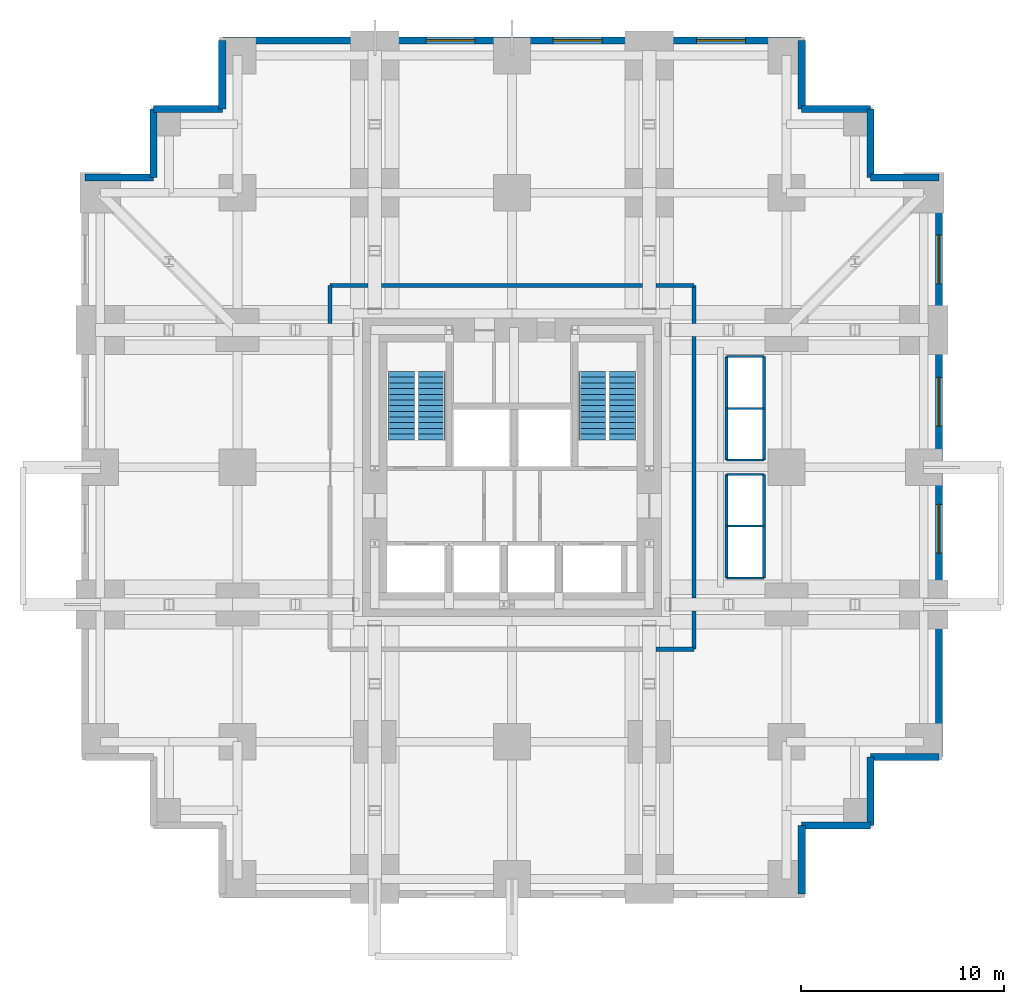
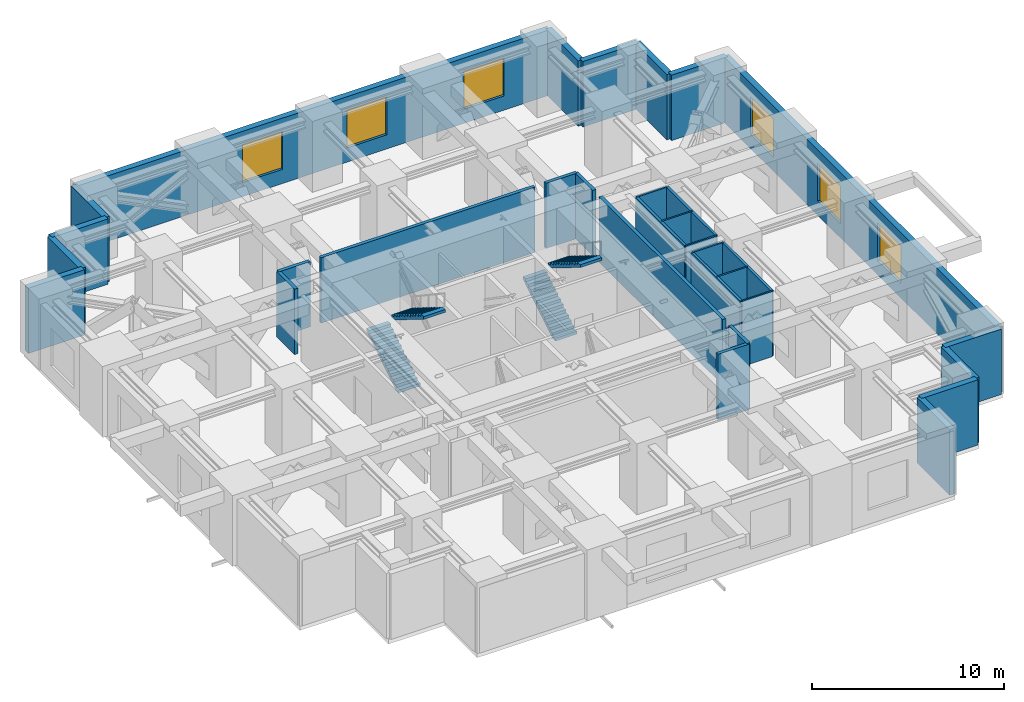
# One storey, part 5 of 6: 32 walls, 6 windows, 4 stair flights, 6 openings, 2 elements without a shape of their own.
"""IFC4 building model written with IfcOpenShell, lengths in metres."""

from ifc_helpers import new_model, si_unit, direction, frame, frame_2d, origin, place, context, subcontext, project, spatial, polyline, rectangle, outline, extrude, material, layer, layer_set, type_object, element, fill, aggregate, save


model = new_model("IFC4")

# Units and contexts
model_context = context("Model", 3, precision=1e-05, world=origin(), true_north=direction((0.0, 1.0)))
body_context = subcontext(model_context, "Body", "Model", "MODEL_VIEW")
ifc_project = project(units=[si_unit("LENGTHUNIT", "METRE"), si_unit("AREAUNIT", "SQUARE_METRE"), si_unit("VOLUMEUNIT", "CUBIC_METRE"), si_unit("PLANEANGLEUNIT", "RADIAN"), si_unit("MASSUNIT", "GRAM", prefix="KILO")], contexts=[model_context])

# Site, building, storey
site_placement = place(None, origin())
site = spatial("IfcSite", under=ifc_project, at=site_placement, CompositionType="ELEMENT")
building_placement = place(site_placement, origin())
building = spatial("IfcBuilding", under=site, at=building_placement, Name="Nyansa Garden Tower", CompositionType="ELEMENT")
storey_placement = place(building_placement, frame((0.0, 0.0, 75.60009765625)))
storey = spatial("IfcBuildingStorey", under=building, at=storey_placement, Name="L20", CompositionType="ELEMENT", Elevation=75.60009765625)

# Walls
ifc_material_1 = material(Name="Concrete blockwork, plastered, 60 minute fire resisting", Category="masonry")
ifc_layer_1 = layer(ifc_material_1, 0.199951171875)
ifc_layer_set_1 = layer_set([ifc_layer_1], Name="Corridor wall FW200")
wall_type_1 = type_object("IfcWallType", Name="Corridor wall FW200", PredefinedType="PARTITIONING", material=ifc_layer_set_1)
for number, where, z_axis, x_axis, name in (
    (1, (11.300048828125, 27.324951171875, 0.0), (0.0, 0.0, 1.0), (0.0, 1.0, 0.0), "Corridor wall"),
    (2, (11.300048828125, 29.199951171875, 0.0), (0.0, 0.0, 1.0), (1.0, 0.0, 0.0), "Corridor wall"),
):
    element("IfcWall", number, at=place(storey_placement, frame(where, z_axis=z_axis, x_axis=x_axis)), inside=storey, type_object=wall_type_1, Name=name, PredefinedType="PARTITIONING", context=body_context, shape_type="SweptSolid", body=[
        extrude(rectangle(XDim=1.875, YDim=0.199951171875, at=frame_2d((0.9375, 0.0))), origin(), (0.0, 0.0, 1.0), 4.14990234375),
    ])
wall_1_placement = place(storey_placement, frame((13.824951171875, 29.199951171875, 0.0), z_axis=(0.0, 0.0, 1.0), x_axis=(1.0, 0.0, 0.0)))
element("IfcWall", 3, at=wall_1_placement, inside=storey, type_object=wall_type_1, Name="Corridor wall", PredefinedType="PARTITIONING", context=body_context, shape_type="SweptSolid", body=[
    extrude(rectangle(XDim=12.85009765625, YDim=0.199951171875, at=frame_2d((6.425048828125, 0.0))), origin(), (0.0, 0.0, 1.0), 4.14990234375),
])
for number, where, z_axis, x_axis, name in (
    (4, (27.324951171875, 11.300048828125, 0.0), (0.0, 0.0, 1.0), (1.0, 0.0, 0.0), "Corridor wall"),
    (5, (27.324951171875, 29.199951171875, 0.0), (0.0, 0.0, 1.0), (1.0, 0.0, 0.0), "Corridor wall"),
    (6, (29.199951171875, 11.300048828125, 0.0), (0.0, 0.0, 1.0), (0.0, 1.0, 0.0), "Corridor wall"),
):
    element("IfcWall", number, at=place(storey_placement, frame(where, z_axis=z_axis, x_axis=x_axis)), inside=storey, type_object=wall_type_1, Name=name, PredefinedType="PARTITIONING", context=body_context, shape_type="SweptSolid", body=[
        extrude(rectangle(XDim=1.875, YDim=0.199951171875, at=frame_2d((0.9375, 0.0))), origin(), (0.0, 0.0, 1.0), 4.14990234375),
    ])
wall_2_placement = place(storey_placement, frame((29.199951171875, 13.824951171875, 0.0), z_axis=(0.0, 0.0, 1.0), x_axis=(0.0, 1.0, 0.0)))
element("IfcWall", 7, at=wall_2_placement, inside=storey, type_object=wall_type_1, Name="Corridor wall", PredefinedType="PARTITIONING", context=body_context, shape_type="SweptSolid", body=[
    extrude(rectangle(XDim=12.85009765625, YDim=0.199951171875, at=frame_2d((6.425048828125, 0.0))), origin(), (0.0, 0.0, 1.0), 4.14990234375),
])
wall_3_placement = place(storey_placement, frame((29.199951171875, 27.324951171875, 0.0), z_axis=(0.0, 0.0, 1.0), x_axis=(0.0, 1.0, 0.0)))
element("IfcWall", 8, at=wall_3_placement, inside=storey, type_object=wall_type_1, Name="Corridor wall", PredefinedType="PARTITIONING", context=body_context, shape_type="SweptSolid", body=[
    extrude(rectangle(XDim=1.875, YDim=0.199951171875, at=frame_2d((0.9375, 0.0))), origin(), (0.0, 0.0, 1.0), 4.14990234375),
])
ifc_material_2 = material(Name="Steel-stud shaft wall, two layers fire-rated board, EI 120", Category="steel")
ifc_layer_2 = layer(ifc_material_2, 0.10009765625)
ifc_layer_set_2 = layer_set([ifc_layer_2], Name="Lift shaft wall SW100")
wall_type_2 = type_object("IfcWallType", Name="Lift shaft wall SW100", PredefinedType="SHEAR", material=ifc_layer_set_2)
for number, where, z_axis, x_axis, name in (
    (9, (30.800048828125, 14.800048828125, 0.0), (0.0, 0.0, 1.0), (1.0, 0.0, 0.0), "Lift shaft wall"),
    (10, (30.800048828125, 17.35009765625, 0.0), (0.0, 0.0, 1.0), (1.0, 0.0, 0.0), "Lift shaft wall"),
    (11, (30.800048828125, 19.89990234375, 0.0), (0.0, 0.0, 1.0), (1.0, 0.0, 0.0), "Lift shaft wall"),
    (12, (30.800048828125, 20.60009765625, 0.0), (0.0, 0.0, 1.0), (1.0, 0.0, 0.0), "Lift shaft wall"),
    (13, (30.800048828125, 23.14990234375, 0.0), (0.0, 0.0, 1.0), (1.0, 0.0, 0.0), "Lift shaft wall"),
    (14, (30.800048828125, 25.699951171875, 0.0), (0.0, 0.0, 1.0), (1.0, 0.0, 0.0), "Lift shaft wall"),
):
    element("IfcWall", number, at=place(storey_placement, frame(where, z_axis=z_axis, x_axis=x_axis)), inside=storey, type_object=wall_type_2, Name=name, PredefinedType="SHEAR", context=body_context, shape_type="SweptSolid", body=[
        extrude(rectangle(XDim=1.849853515625, YDim=0.10009765625, at=frame_2d((0.9248046875, 0.0))), origin(), (0.0, 0.0, 1.0), 4.14990234375),
    ])
ifc_material_3 = material(Name="Blockwork, plastered both sides", Category="masonry")
ifc_layer_3 = layer(ifc_material_3, 0.14990234375)
ifc_layer_set_3 = layer_set([ifc_layer_3], Name="Partition PW150")
wall_type_3 = type_object("IfcWallType", Name="Partition PW150", PredefinedType="PARTITIONING", material=ifc_layer_set_3)
for number, where, z_axis, x_axis, name in (
    (15, (30.800048828125, 14.800048828125, 0.0), (0.0, 0.0, 1.0), (0.0, 1.0, 0.0), "Partition"),
    (16, (30.800048828125, 20.60009765625, 0.0), (0.0, 0.0, 1.0), (0.0, 1.0, 0.0), "Partition"),
    (17, (32.64990234375, 14.800048828125, 0.0), (0.0, 0.0, 1.0), (0.0, 1.0, 0.0), "Partition"),
    (18, (32.64990234375, 20.60009765625, 0.0), (0.0, 0.0, 1.0), (0.0, 1.0, 0.0), "Partition"),
):
    element("IfcWall", number, at=place(storey_placement, frame(where, z_axis=z_axis, x_axis=x_axis)), inside=storey, type_object=wall_type_3, Name=name, PredefinedType="PARTITIONING", context=body_context, shape_type="SweptSolid", body=[
        extrude(rectangle(XDim=5.099853515625, YDim=0.14990234375, at=frame_2d((2.5498046875, 0.0))), origin(), (0.0, 0.0, 1.0), 4.14990234375),
    ])

# Wall, openings, windows
ifc_material_4 = material(Name="Turquoise and ultramarine glazed tile on concrete blockwork", Category="masonry")
ifc_layer_4 = layer(ifc_material_4, 0.35009765625)
ifc_layer_set_4 = layer_set([ifc_layer_4], Name="Tiled plant wall PW350")
wall_type_4 = type_object("IfcWallType", Name="Tiled plant wall PW350", PredefinedType="SOLIDWALL", material=ifc_layer_set_4)
wall_4_placement = place(storey_placement, frame((41.25, 6.0, 0.0), z_axis=(0.0, 0.0, 1.0), x_axis=(0.0, 1.0, 0.0)))
wall_4 = element("IfcWall", 19, at=wall_4_placement, inside=storey, type_object=wall_type_4, Name="Tiled plant wall L20", PredefinedType="SOLIDWALL", context=body_context, shape_type="SweptSolid", body=[
    extrude(rectangle(XDim=28.5, YDim=0.35009765625, at=frame_2d((14.25, 0.0))), origin(), (0.0, 0.0, 1.0), 4.14990234375),
])
opening_1_placement = place(wall_4_placement, frame((10.02490234375, 0.0, 0.89990234375)))
opening_1 = element("IfcOpeningElement", 20, at=opening_1_placement, cuts=wall_4, Name="Opening W3", PredefinedType="OPENING", context=body_context, shape_type="SweptSolid", body=[
    extrude(rectangle(XDim=2.39990234375, YDim=2.39990234375, at=frame_2d((1.199951171875, 1.199951171875))), frame((0.0, 0.18505859375, 0.0), z_axis=(0.0, -1.0, 0.0), x_axis=(1.0, 0.0, 0.0)), (0.0, 0.0, 1.0), 0.3701171875),
])
opening_2_placement = place(wall_4_placement, frame((16.27490234375, 0.0, 0.89990234375)))
opening_2 = element("IfcOpeningElement", 21, at=opening_2_placement, cuts=wall_4, Name="Opening W3", PredefinedType="OPENING", context=body_context, shape_type="SweptSolid", body=[
    extrude(rectangle(XDim=2.39990234375, YDim=2.39990234375, at=frame_2d((1.199951171875, 1.199951171875))), frame((0.0, 0.18505859375, 0.0), z_axis=(0.0, -1.0, 0.0), x_axis=(1.0, 0.0, 0.0)), (0.0, 0.0, 1.0), 0.3701171875),
])
opening_3_placement = place(wall_4_placement, frame((23.27490234375, 0.0, 0.89990234375)))
opening_3 = element("IfcOpeningElement", 22, at=opening_3_placement, cuts=wall_4, Name="Opening W3", PredefinedType="OPENING", context=body_context, shape_type="SweptSolid", body=[
    extrude(rectangle(XDim=2.39990234375, YDim=2.39990234375, at=frame_2d((1.199951171875, 1.199951171875))), frame((0.0, 0.18505859375, 0.0), z_axis=(0.0, -1.0, 0.0), x_axis=(1.0, 0.0, 0.0)), (0.0, 0.0, 1.0), 0.3701171875),
])
ifc_material_5 = material(Name="Black aluminium weather louvre", Category="aluminium")
window_type = type_object("IfcWindowType", Name="Louvre W3 2400x2400", PartitioningType="SINGLE_PANEL", PredefinedType="WINDOW", material=ifc_material_5)
window_1_placement = place(opening_1_placement, origin())
window_1 = element("IfcWindow", 23, at=window_1_placement, inside=storey, type_object=window_type, Name="Louvre L20", OverallHeight=2.39990234375, OverallWidth=2.39990234375, PartitioningType="SINGLE_PANEL", PredefinedType="WINDOW", context=body_context, shape_type="SweptSolid", body=[
    extrude(rectangle(XDim=2.39990234375, YDim=2.39990234375, at=frame_2d((1.199951171875, 1.199951171875))), frame((0.0, 0.030029296875, 0.0), z_axis=(0.0, -1.0, 0.0), x_axis=(1.0, 0.0, 0.0)), (0.0, 0.0, 1.0), 0.06005859375),
])
fill(opening_1, window_1)
window_2_placement = place(opening_2_placement, origin())
window_2 = element("IfcWindow", 24, at=window_2_placement, inside=storey, type_object=window_type, Name="Louvre L20", OverallHeight=2.39990234375, OverallWidth=2.39990234375, PartitioningType="SINGLE_PANEL", PredefinedType="WINDOW", context=body_context, shape_type="SweptSolid", body=[
    extrude(rectangle(XDim=2.39990234375, YDim=2.39990234375, at=frame_2d((1.199951171875, 1.199951171875))), frame((0.0, 0.030029296875, 0.0), z_axis=(0.0, -1.0, 0.0), x_axis=(1.0, 0.0, 0.0)), (0.0, 0.0, 1.0), 0.06005859375),
])
fill(opening_2, window_2)
window_3_placement = place(opening_3_placement, origin())
window_3 = element("IfcWindow", 25, at=window_3_placement, inside=storey, type_object=window_type, Name="Louvre L20", OverallHeight=2.39990234375, OverallWidth=2.39990234375, PartitioningType="SINGLE_PANEL", PredefinedType="WINDOW", context=body_context, shape_type="SweptSolid", body=[
    extrude(rectangle(XDim=2.39990234375, YDim=2.39990234375, at=frame_2d((1.199951171875, 1.199951171875))), frame((0.0, 0.030029296875, 0.0), z_axis=(0.0, -1.0, 0.0), x_axis=(1.0, 0.0, 0.0)), (0.0, 0.0, 1.0), 0.06005859375),
])
fill(opening_3, window_3)

# Walls
for number, where, z_axis, x_axis, name in (
    (26, (41.25, 34.5, 0.0), (0.0, 0.0, 1.0), (-1.0, 0.0, 0.0), "Tiled plant wall L20"),
    (27, (37.875, 34.5, 0.0), (0.0, 0.0, 1.0), (0.0, 1.0, 0.0), "Tiled plant wall L20"),
    (28, (37.875, 37.875, 0.0), (0.0, 0.0, 1.0), (-1.0, 0.0, 0.0), "Tiled plant wall L20"),
    (29, (34.5, 37.875, 0.0), (0.0, 0.0, 1.0), (0.0, 1.0, 0.0), "Tiled plant wall L20"),
):
    element("IfcWall", number, at=place(storey_placement, frame(where, z_axis=z_axis, x_axis=x_axis)), inside=storey, type_object=wall_type_4, Name=name, PredefinedType="SOLIDWALL", context=body_context, shape_type="SweptSolid", body=[
        extrude(rectangle(XDim=3.375, YDim=0.35009765625, at=frame_2d((1.6875, 0.0))), origin(), (0.0, 0.0, 1.0), 4.14990234375),
    ])

# Wall, openings, windows
wall_5_placement = place(storey_placement, frame((34.5, 41.25, 0.0), z_axis=(0.0, 0.0, 1.0), x_axis=(-1.0, 0.0, 0.0)))
wall_5 = element("IfcWall", 30, at=wall_5_placement, inside=storey, type_object=wall_type_4, Name="Tiled plant wall L20", PredefinedType="SOLIDWALL", context=body_context, shape_type="SweptSolid", body=[
    extrude(rectangle(XDim=28.5, YDim=0.35009765625, at=frame_2d((14.25, 0.0))), origin(), (0.0, 0.0, 1.0), 4.14990234375),
])
opening_4_placement = place(wall_5_placement, frame((2.77490234375, 0.0, 0.89990234375)))
opening_4 = element("IfcOpeningElement", 31, at=opening_4_placement, cuts=wall_5, Name="Opening W3", PredefinedType="OPENING", context=body_context, shape_type="SweptSolid", body=[
    extrude(rectangle(XDim=2.39990234375, YDim=2.39990234375, at=frame_2d((1.199951171875, 1.199951171875))), frame((0.0, 0.18505859375, 0.0), z_axis=(0.0, -1.0, 0.0), x_axis=(1.0, 0.0, 0.0)), (0.0, 0.0, 1.0), 0.3701171875),
])
opening_5_placement = place(wall_5_placement, frame((9.824951171875, 0.0, 0.89990234375)))
opening_5 = element("IfcOpeningElement", 32, at=opening_5_placement, cuts=wall_5, Name="Opening W3", PredefinedType="OPENING", context=body_context, shape_type="SweptSolid", body=[
    extrude(rectangle(XDim=2.39990234375, YDim=2.39990234375, at=frame_2d((1.199951171875, 1.199951171875))), frame((0.0, 0.18505859375, 0.0), z_axis=(0.0, -1.0, 0.0), x_axis=(1.0, 0.0, 0.0)), (0.0, 0.0, 1.0), 0.3701171875),
])
opening_6_placement = place(wall_5_placement, frame((16.074951171875, 0.0, 0.89990234375)))
opening_6 = element("IfcOpeningElement", 33, at=opening_6_placement, cuts=wall_5, Name="Opening W3", PredefinedType="OPENING", context=body_context, shape_type="SweptSolid", body=[
    extrude(rectangle(XDim=2.39990234375, YDim=2.39990234375, at=frame_2d((1.199951171875, 1.199951171875))), frame((0.0, 0.18505859375, 0.0), z_axis=(0.0, -1.0, 0.0), x_axis=(1.0, 0.0, 0.0)), (0.0, 0.0, 1.0), 0.3701171875),
])
window_4_placement = place(opening_4_placement, origin())
window_4 = element("IfcWindow", 34, at=window_4_placement, inside=storey, type_object=window_type, Name="Louvre L20", OverallHeight=2.39990234375, OverallWidth=2.39990234375, PartitioningType="SINGLE_PANEL", PredefinedType="WINDOW", context=body_context, shape_type="SweptSolid", body=[
    extrude(rectangle(XDim=2.39990234375, YDim=2.39990234375, at=frame_2d((1.199951171875, 1.199951171875))), frame((0.0, 0.030029296875, 0.0), z_axis=(0.0, -1.0, 0.0), x_axis=(1.0, 0.0, 0.0)), (0.0, 0.0, 1.0), 0.06005859375),
])
fill(opening_4, window_4)
window_5_placement = place(opening_5_placement, origin())
window_5 = element("IfcWindow", 35, at=window_5_placement, inside=storey, type_object=window_type, Name="Louvre L20", OverallHeight=2.39990234375, OverallWidth=2.39990234375, PartitioningType="SINGLE_PANEL", PredefinedType="WINDOW", context=body_context, shape_type="SweptSolid", body=[
    extrude(rectangle(XDim=2.39990234375, YDim=2.39990234375, at=frame_2d((1.199951171875, 1.199951171875))), frame((0.0, 0.030029296875, 0.0), z_axis=(0.0, -1.0, 0.0), x_axis=(1.0, 0.0, 0.0)), (0.0, 0.0, 1.0), 0.06005859375),
])
fill(opening_5, window_5)
window_6_placement = place(opening_6_placement, origin())
window_6 = element("IfcWindow", 36, at=window_6_placement, inside=storey, type_object=window_type, Name="Louvre L20", OverallHeight=2.39990234375, OverallWidth=2.39990234375, PartitioningType="SINGLE_PANEL", PredefinedType="WINDOW", context=body_context, shape_type="SweptSolid", body=[
    extrude(rectangle(XDim=2.39990234375, YDim=2.39990234375, at=frame_2d((1.199951171875, 1.199951171875))), frame((0.0, 0.030029296875, 0.0), z_axis=(0.0, -1.0, 0.0), x_axis=(1.0, 0.0, 0.0)), (0.0, 0.0, 1.0), 0.06005859375),
])
fill(opening_6, window_6)

# Walls
for number, where, z_axis, x_axis, name in (
    (37, (6.0, 41.25, 0.0), (0.0, 0.0, 1.0), (0.0, -1.0, 0.0), "Tiled plant wall L20"),
    (38, (6.0, 37.875, 0.0), (0.0, 0.0, 1.0), (-1.0, 0.0, 0.0), "Tiled plant wall L20"),
    (39, (2.625, 37.875, 0.0), (0.0, 0.0, 1.0), (0.0, -1.0, 0.0), "Tiled plant wall L20"),
    (40, (2.625, 34.5, 0.0), (0.0, 0.0, 1.0), (-1.0, 0.0, 0.0), "Tiled plant wall L20"),
    (41, (34.5, -0.75, 0.0), (0.0, 0.0, 1.0), (0.0, 1.0, 0.0), "Tiled plant wall L20"),
    (42, (34.5, 2.625, 0.0), (0.0, 0.0, 1.0), (1.0, 0.0, 0.0), "Tiled plant wall L20"),
    (43, (37.875, 2.625, 0.0), (0.0, 0.0, 1.0), (0.0, 1.0, 0.0), "Tiled plant wall L20"),
    (44, (37.875, 6.0, 0.0), (0.0, 0.0, 1.0), (1.0, 0.0, 0.0), "Tiled plant wall L20"),
):
    element("IfcWall", number, at=place(storey_placement, frame(where, z_axis=z_axis, x_axis=x_axis)), inside=storey, type_object=wall_type_4, Name=name, PredefinedType="SOLIDWALL", context=body_context, shape_type="SweptSolid", body=[
        extrude(rectangle(XDim=3.375, YDim=0.35009765625, at=frame_2d((1.6875, 0.0))), origin(), (0.0, 0.0, 1.0), 4.14990234375),
    ])

# Stair, stair flights
ifc_material_6 = material(Name="Precast concrete C40/50", Category="concrete")
stair_type_1 = type_object("IfcStairType", Name="Stair S1 173x280", PredefinedType="HALF_TURN_STAIR", material=ifc_material_6)
stair_1_placement = place(storey_placement, origin())
stair_1 = element("IfcStair", 45, at=stair_1_placement, inside=storey, type_object=stair_type_1, Name="Stair S1 L20", PredefinedType="HALF_TURN_STAIR")
ifc_material_7 = material(Name="Precast concrete C40/50", Category="concrete")
stair_flight_type_1 = type_object("IfcStairFlightType", Name="Stair flight S1 173x280x13", PredefinedType="STRAIGHT", material=ifc_material_7)
stair_flight_1_placement = place(storey_placement, frame((14.800048828125, 21.60009765625, 0.0), z_axis=(0.0, 0.0, 1.0), x_axis=(0.0, 1.0, 0.0)))
stair_flight_1 = element("IfcStairFlight", 46, at=stair_flight_1_placement, type_object=stair_flight_type_1, Name="S1 flight 1", NumberOfRisers=13, NumberOfTreads=12, PredefinedType="STRAIGHT", RiserHeight=0.173076923, TreadLength=0.28, context=body_context, shape_type="SweptSolid", body=[
    extrude(outline(polyline([(0.0, 0.0), (0.0, 0.173095703125), (0.280029296875, 0.173095703125), (0.280029296875, 0.34619140625), (0.56005859375, 0.34619140625), (0.56005859375, 0.519287109375), (0.840087890625, 0.519287109375), (0.840087890625, 0.6923828125), (1.1201171875, 0.6923828125), (1.1201171875, 0.865478515625), (1.39990234375, 0.865478515625), (1.39990234375, 1.03857421875), (1.679931640625, 1.03857421875), (1.679931640625, 1.21142578125), (1.9599609375, 1.21142578125), (1.9599609375, 1.384521484375), (2.239990234375, 1.384521484375), (2.239990234375, 1.5576171875), (2.52001953125, 1.5576171875), (2.52001953125, 1.730712890625), (2.800048828125, 1.730712890625), (2.800048828125, 1.90380859375), (3.080078125, 1.90380859375), (3.080078125, 2.076904296875), (3.360107421875, 2.076904296875), (3.360107421875, 2.25), (3.360107421875, 1.900634765625), (0.28515625, 0.0), (0.0, 0.0)])), frame((0.0, 0.64990234375, 0.0), z_axis=(0.0, -1.0, 0.0), x_axis=(1.0, 0.0, 0.0)), (0.0, 0.0, 1.0), 1.300048828125),
])
stair_flight_2_placement = place(storey_placement, frame((16.300048828125, 24.9599609375, 2.25), z_axis=(0.0, 0.0, 1.0), x_axis=(0.0, -1.0, 0.0)))
stair_flight_2 = element("IfcStairFlight", 47, at=stair_flight_2_placement, type_object=stair_flight_type_1, Name="S1 flight 2", NumberOfRisers=13, NumberOfTreads=12, PredefinedType="STRAIGHT", RiserHeight=0.173076923, TreadLength=0.28, context=body_context, shape_type="SweptSolid", body=[
    extrude(outline(polyline([(0.0, 0.0), (0.0, 0.173095703125), (0.280029296875, 0.173095703125), (0.280029296875, 0.34619140625), (0.56005859375, 0.34619140625), (0.56005859375, 0.519287109375), (0.840087890625, 0.519287109375), (0.840087890625, 0.6923828125), (1.1201171875, 0.6923828125), (1.1201171875, 0.865478515625), (1.39990234375, 0.865478515625), (1.39990234375, 1.03857421875), (1.679931640625, 1.03857421875), (1.679931640625, 1.21142578125), (1.9599609375, 1.21142578125), (1.9599609375, 1.384521484375), (2.239990234375, 1.384521484375), (2.239990234375, 1.5576171875), (2.52001953125, 1.5576171875), (2.52001953125, 1.730712890625), (2.800048828125, 1.730712890625), (2.800048828125, 1.90380859375), (3.080078125, 1.90380859375), (3.080078125, 2.076904296875), (3.360107421875, 2.076904296875), (3.360107421875, 2.25), (3.360107421875, 1.900634765625), (0.28515625, 0.0), (0.0, 0.0)])), frame((0.0, 0.64990234375, 0.0), z_axis=(0.0, -1.0, 0.0), x_axis=(1.0, 0.0, 0.0)), (0.0, 0.0, 1.0), 1.300048828125),
])
aggregate(stair_1, [stair_flight_1, stair_flight_2])

ifc_material_8 = material(Name="Precast concrete C40/50", Category="concrete")
stair_type_2 = type_object("IfcStairType", Name="Stair S2 173x280", PredefinedType="HALF_TURN_STAIR", material=ifc_material_8)
stair_2_placement = place(storey_placement, origin())
stair_2 = element("IfcStair", 48, at=stair_2_placement, inside=storey, type_object=stair_type_2, Name="Stair S2 L20", PredefinedType="HALF_TURN_STAIR")
ifc_material_9 = material(Name="Precast concrete C40/50", Category="concrete")
stair_flight_type_2 = type_object("IfcStairFlightType", Name="Stair flight S2 173x280x13", PredefinedType="STRAIGHT", material=ifc_material_9)
stair_flight_3_placement = place(storey_placement, frame((24.199951171875, 21.60009765625, 0.0), z_axis=(0.0, 0.0, 1.0), x_axis=(0.0, 1.0, 0.0)))
stair_flight_3 = element("IfcStairFlight", 49, at=stair_flight_3_placement, type_object=stair_flight_type_2, Name="S2 flight 1", NumberOfRisers=13, NumberOfTreads=12, PredefinedType="STRAIGHT", RiserHeight=0.173076923, TreadLength=0.28, context=body_context, shape_type="SweptSolid", body=[
    extrude(outline(polyline([(0.0, 0.0), (0.0, 0.173095703125), (0.280029296875, 0.173095703125), (0.280029296875, 0.34619140625), (0.56005859375, 0.34619140625), (0.56005859375, 0.519287109375), (0.840087890625, 0.519287109375), (0.840087890625, 0.6923828125), (1.1201171875, 0.6923828125), (1.1201171875, 0.865478515625), (1.39990234375, 0.865478515625), (1.39990234375, 1.03857421875), (1.679931640625, 1.03857421875), (1.679931640625, 1.21142578125), (1.9599609375, 1.21142578125), (1.9599609375, 1.384521484375), (2.239990234375, 1.384521484375), (2.239990234375, 1.5576171875), (2.52001953125, 1.5576171875), (2.52001953125, 1.730712890625), (2.800048828125, 1.730712890625), (2.800048828125, 1.90380859375), (3.080078125, 1.90380859375), (3.080078125, 2.076904296875), (3.360107421875, 2.076904296875), (3.360107421875, 2.25), (3.360107421875, 1.900634765625), (0.28515625, 0.0), (0.0, 0.0)])), frame((0.0, 0.64990234375, 0.0), z_axis=(0.0, -1.0, 0.0), x_axis=(1.0, 0.0, 0.0)), (0.0, 0.0, 1.0), 1.300048828125),
])
stair_flight_4_placement = place(storey_placement, frame((25.699951171875, 24.9599609375, 2.25), z_axis=(0.0, 0.0, 1.0), x_axis=(0.0, -1.0, 0.0)))
stair_flight_4 = element("IfcStairFlight", 50, at=stair_flight_4_placement, type_object=stair_flight_type_2, Name="S2 flight 2", NumberOfRisers=13, NumberOfTreads=12, PredefinedType="STRAIGHT", RiserHeight=0.173076923, TreadLength=0.28, context=body_context, shape_type="SweptSolid", body=[
    extrude(outline(polyline([(0.0, 0.0), (0.0, 0.173095703125), (0.280029296875, 0.173095703125), (0.280029296875, 0.34619140625), (0.56005859375, 0.34619140625), (0.56005859375, 0.519287109375), (0.840087890625, 0.519287109375), (0.840087890625, 0.6923828125), (1.1201171875, 0.6923828125), (1.1201171875, 0.865478515625), (1.39990234375, 0.865478515625), (1.39990234375, 1.03857421875), (1.679931640625, 1.03857421875), (1.679931640625, 1.21142578125), (1.9599609375, 1.21142578125), (1.9599609375, 1.384521484375), (2.239990234375, 1.384521484375), (2.239990234375, 1.5576171875), (2.52001953125, 1.5576171875), (2.52001953125, 1.730712890625), (2.800048828125, 1.730712890625), (2.800048828125, 1.90380859375), (3.080078125, 1.90380859375), (3.080078125, 2.076904296875), (3.360107421875, 2.076904296875), (3.360107421875, 2.25), (3.360107421875, 1.900634765625), (0.28515625, 0.0), (0.0, 0.0)])), frame((0.0, 0.64990234375, 0.0), z_axis=(0.0, -1.0, 0.0), x_axis=(1.0, 0.0, 0.0)), (0.0, 0.0, 1.0), 1.300048828125),
])
aggregate(stair_2, [stair_flight_3, stair_flight_4])

save(model, "model.ifc")
